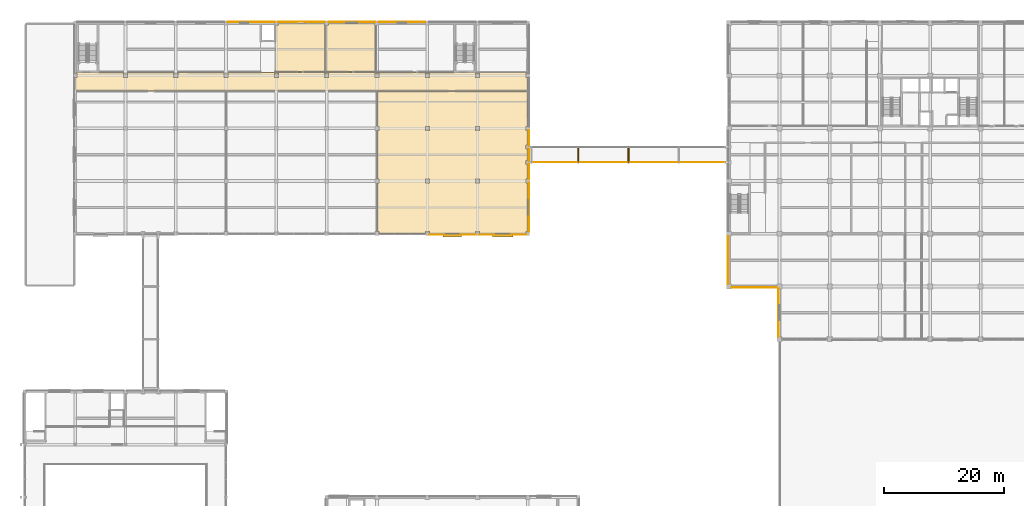
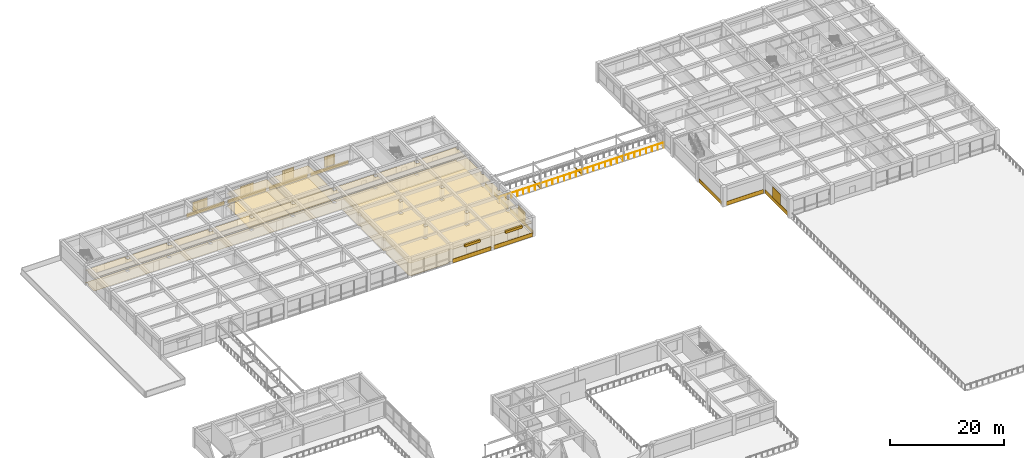
# One storey, part 51 of 57: 23 coverings, 8 shading devices, 1 railing.
"""IFC4 building model written with IfcOpenShell, lengths in metres."""

from ifc_helpers import new_model, si_unit, direction, frame, origin, origin_2d, place, context, subcontext, project, spatial, polyline, rectangle, circle, outline, extrude, material, layer, layer_set, type_object, element, save


model = new_model("IFC4")

# Units and contexts
model_context = context("Model", 3, precision=1e-05, world=origin(), true_north=direction((0.0, 1.0)))
body_context = subcontext(model_context, "Body", "Model", "MODEL_VIEW")
ifc_project = project(units=[si_unit("LENGTHUNIT", "METRE"), si_unit("AREAUNIT", "SQUARE_METRE"), si_unit("VOLUMEUNIT", "CUBIC_METRE"), si_unit("PLANEANGLEUNIT", "RADIAN"), si_unit("MASSUNIT", "GRAM", prefix="KILO")], contexts=[model_context])

# Site, building, storey
site_placement = place(None, origin())
site = spatial("IfcSite", under=ifc_project, at=site_placement, CompositionType="ELEMENT")
building_placement = place(site_placement, origin())
building = spatial("IfcBuilding", under=site, at=building_placement, Name="Kemercrest Conservatory and Botanical Centre", CompositionType="ELEMENT")
storey_placement = place(building_placement, frame((0.0, 0.0, 4.800048828125)))
storey = spatial("IfcBuildingStorey", under=building, at=storey_placement, Name="L01", CompositionType="ELEMENT", Elevation=4.800048828125)

# Coverings
ifc_material_1 = material(Name="Honed limestone almasik ashlar rainscreen", Category="masonry")
ifc_layer_1 = layer(ifc_material_1, 0.0400390625)
ifc_layer_set_1 = layer_set([ifc_layer_1], Name="Honed limestone almasik ashlar rainscreen")
covering_type_1 = type_object("IfcCoveringType", Name="CV-CLD040", PredefinedType="CLADDING", material=ifc_layer_set_1)
covering_1_placement = place(storey_placement, origin())
element("IfcCovering", 1, at=covering_1_placement, inside=storey, type_object=covering_type_1, Name="Exterior stone spandrel cladding (WAL:L01:EXT-098)", PredefinedType="CLADDING", context=body_context, shape_type="SweptSolid", body=[
    extrude(outline(polyline([(75.510009765625, 87.050048828125), (75.510009765625, 87.010009765625), (83.2900390625, 87.010009765625), (83.2900390625, 87.050048828125), (75.510009765625, 87.050048828125)])), origin(), (0.0, 0.0, 1.0), 0.849853515625),
])
covering_2_placement = place(storey_placement, origin())
element("IfcCovering", 2, at=covering_2_placement, inside=storey, type_object=covering_type_1, Name="Exterior stone spandrel cladding (WAL:L01:EXT-099)", PredefinedType="CLADDING", context=body_context, shape_type="SweptSolid", body=[
    extrude(outline(polyline([(83.909912109375, 87.050048828125), (83.909912109375, 87.010009765625), (91.68994140625, 87.010009765625), (91.68994140625, 87.050048828125), (83.909912109375, 87.050048828125)])), origin(), (0.0, 0.0, 1.0), 0.849853515625),
])
covering_3_placement = place(storey_placement, origin())
element("IfcCovering", 3, at=covering_3_placement, inside=storey, type_object=covering_type_1, Name="Exterior stone spandrel cladding (WAL:L01:EXT-100)", PredefinedType="CLADDING", context=body_context, shape_type="SweptSolid", body=[
    extrude(outline(polyline([(92.14990234375, 87.510009765625), (92.18994140625, 87.510009765625), (92.18994140625, 95.68994140625), (92.14990234375, 95.68994140625), (92.14990234375, 87.510009765625)])), origin(), (0.0, 0.0, 1.0), 0.849853515625),
])
covering_4_placement = place(storey_placement, origin())
element("IfcCovering", 4, at=covering_4_placement, inside=storey, type_object=covering_type_1, Name="Exterior stone spandrel cladding (WAL:L01:EXT-101-S1)", PredefinedType="CLADDING", context=body_context, shape_type="SweptSolid", body=[
    extrude(outline(polyline([(92.14990234375, 96.31005859375), (92.18994140625, 96.31005859375), (92.18994140625, 98.7900390625), (92.14990234375, 98.7900390625), (92.14990234375, 96.31005859375)])), origin(), (0.0, 0.0, 1.0), 0.849853515625),
])
covering_5_placement = place(storey_placement, origin())
element("IfcCovering", 5, at=covering_5_placement, inside=storey, type_object=covering_type_1, Name="Exterior stone spandrel cladding (WAL:L01:EXT-101-S2)", PredefinedType="CLADDING", context=body_context, shape_type="SweptSolid", body=[
    extrude(outline(polyline([(92.14990234375, 99.409912109375), (92.18994140625, 99.409912109375), (92.18994140625, 101.389892578125), (92.14990234375, 101.389892578125), (92.14990234375, 99.409912109375)])), origin(), (0.0, 0.0, 1.0), 0.849853515625),
])
covering_6_placement = place(storey_placement, origin())
element("IfcCovering", 6, at=covering_6_placement, inside=storey, type_object=covering_type_1, Name="Exterior stone spandrel cladding (WAL:L01:EXT-101-S3)", PredefinedType="CLADDING", context=body_context, shape_type="SweptSolid", body=[
    extrude(outline(polyline([(92.14990234375, 102.010009765625), (92.18994140625, 102.010009765625), (92.18994140625, 104.489990234375), (92.14990234375, 104.489990234375), (92.14990234375, 102.010009765625)])), origin(), (0.0, 0.0, 1.0), 0.849853515625),
])
covering_7_placement = place(storey_placement, origin())
element("IfcCovering", 7, at=covering_7_placement, inside=storey, type_object=covering_type_1, Name="Exterior stone spandrel cladding (WAL:L01:EXT-106)", PredefinedType="CLADDING", context=body_context, shape_type="SweptSolid", body=[
    extrude(outline(polyline([(74.889892578125, 122.550048828125), (74.889892578125, 122.590087890625), (67.110107421875, 122.590087890625), (67.110107421875, 122.550048828125), (74.889892578125, 122.550048828125)])), origin(), (0.0, 0.0, 1.0), 0.849853515625),
])
covering_8_placement = place(storey_placement, origin())
element("IfcCovering", 8, at=covering_8_placement, inside=storey, type_object=covering_type_1, Name="Exterior stone spandrel cladding (WAL:L01:EXT-107)", PredefinedType="CLADDING", context=body_context, shape_type="SweptSolid", body=[
    extrude(outline(polyline([(66.489990234375, 122.550048828125), (66.489990234375, 122.590087890625), (58.7099609375, 122.590087890625), (58.7099609375, 122.550048828125), (66.489990234375, 122.550048828125)])), origin(), (0.0, 0.0, 1.0), 0.849853515625),
])
covering_9_placement = place(storey_placement, origin())
element("IfcCovering", 9, at=covering_9_placement, inside=storey, type_object=covering_type_1, Name="Exterior stone spandrel cladding (WAL:L01:EXT-108)", PredefinedType="CLADDING", context=body_context, shape_type="SweptSolid", body=[
    extrude(outline(polyline([(58.090087890625, 122.550048828125), (58.090087890625, 122.590087890625), (50.31005859375, 122.590087890625), (50.31005859375, 122.550048828125), (58.090087890625, 122.550048828125)])), origin(), (0.0, 0.0, 1.0), 0.849853515625),
])
covering_10_placement = place(storey_placement, origin())
element("IfcCovering", 10, at=covering_10_placement, inside=storey, type_object=covering_type_1, Name="Exterior stone spandrel cladding (WAL:L01:EXT-109)", PredefinedType="CLADDING", context=body_context, shape_type="SweptSolid", body=[
    extrude(outline(polyline([(49.68994140625, 122.550048828125), (49.68994140625, 122.590087890625), (41.909912109375, 122.590087890625), (41.909912109375, 122.550048828125), (49.68994140625, 122.550048828125)])), origin(), (0.0, 0.0, 1.0), 0.849853515625),
])
covering_11_placement = place(storey_placement, origin())
element("IfcCovering", 11, at=covering_11_placement, inside=storey, type_object=covering_type_1, Name="Exterior stone spandrel cladding (WAL:L01:EXT-190)", PredefinedType="CLADDING", context=body_context, shape_type="SweptSolid", body=[
    extrude(outline(polyline([(125.449951171875, 86.7900390625), (125.409912109375, 86.7900390625), (125.409912109375, 78.81005859375), (125.449951171875, 78.81005859375), (125.449951171875, 86.7900390625)])), origin(), (0.0, 0.0, 1.0), 0.849853515625),
])
covering_12_placement = place(storey_placement, origin())
element("IfcCovering", 12, at=covering_12_placement, inside=storey, type_object=covering_type_1, Name="Exterior stone spandrel cladding (WAL:L01:EXT-191)", PredefinedType="CLADDING", context=body_context, shape_type="SweptSolid", body=[
    extrude(outline(polyline([(126.010009765625, 78.25), (126.010009765625, 78.2099609375), (133.590087890625, 78.2099609375), (133.590087890625, 78.25), (126.010009765625, 78.25)])), origin(), (0.0, 0.0, 1.0), 0.849853515625),
])
covering_13_placement = place(storey_placement, origin())
element("IfcCovering", 13, at=covering_13_placement, inside=storey, type_object=covering_type_1, Name="Exterior stone spandrel cladding (WAL:L01:EXT-192)", PredefinedType="CLADDING", context=body_context, shape_type="SweptSolid", body=[
    extrude(outline(polyline([(133.85009765625, 77.989990234375), (133.81005859375, 77.989990234375), (133.81005859375, 70.010009765625), (133.85009765625, 70.010009765625), (133.85009765625, 77.989990234375)])), origin(), (0.0, 0.0, 1.0), 0.849853515625),
])
ifc_material_2 = material(Name="Perforated acoustic gypsum and mineral-fibre suspended ceiling", Category="gypsum")
ifc_layer_2 = layer(ifc_material_2, 0.034912109375)
ifc_layer_set_2 = layer_set([ifc_layer_2], Name="Perforated acoustic gypsum and mineral-fibre suspended ceiling")
covering_type_2 = type_object("IfcCoveringType", Name="CV-CLG035", PredefinedType="CEILING", material=ifc_layer_set_2)
covering_14_placement = place(storey_placement, frame((0.0, 0.0, 2.699951171875)))
element("IfcCovering", 14, at=covering_14_placement, inside=storey, type_object=covering_type_2, Name="Education Concourse Corridor suspended acoustic ceiling", PredefinedType="CEILING", context=body_context, shape_type="SweptSolid", body=[
    extrude(outline(polyline([(16.739990234375, 113.260009765625), (16.47998046875, 113.260009765625), (16.47998046875, 111.080078125), (91.919921875, 111.080078125), (91.919921875, 113.260009765625), (91.659912109375, 113.260009765625), (91.659912109375, 113.93994140625), (91.919921875, 113.93994140625), (91.919921875, 114.1201171875), (16.47998046875, 114.1201171875), (16.47998046875, 113.93994140625), (16.739990234375, 113.93994140625), (16.739990234375, 113.260009765625)]), holes=[polyline([(83.93994140625, 113.260009765625), (83.260009765625, 113.260009765625), (83.260009765625, 113.93994140625), (83.93994140625, 113.93994140625), (83.93994140625, 113.260009765625)]), polyline([(74.860107421875, 113.260009765625), (74.860107421875, 113.93994140625), (75.5400390625, 113.93994140625), (75.5400390625, 113.260009765625), (74.860107421875, 113.260009765625)]), polyline([(67.139892578125, 113.260009765625), (66.4599609375, 113.260009765625), (66.4599609375, 113.93994140625), (67.139892578125, 113.93994140625), (67.139892578125, 113.260009765625)]), polyline([(58.739990234375, 113.260009765625), (58.06005859375, 113.260009765625), (58.06005859375, 113.93994140625), (58.739990234375, 113.93994140625), (58.739990234375, 113.260009765625)]), polyline([(50.340087890625, 113.260009765625), (49.659912109375, 113.260009765625), (49.659912109375, 113.93994140625), (50.340087890625, 113.93994140625), (50.340087890625, 113.260009765625)]), polyline([(41.93994140625, 113.260009765625), (41.260009765625, 113.260009765625), (41.260009765625, 113.93994140625), (41.93994140625, 113.93994140625), (41.93994140625, 113.260009765625)]), polyline([(33.5400390625, 113.260009765625), (32.860107421875, 113.260009765625), (32.860107421875, 113.93994140625), (33.5400390625, 113.93994140625), (33.5400390625, 113.260009765625)]), polyline([(24.4599609375, 113.260009765625), (24.4599609375, 113.93994140625), (25.139892578125, 113.93994140625), (25.139892578125, 113.260009765625), (24.4599609375, 113.260009765625)])]), origin(), (0.0, 0.0, 1.0), 0.034912109375),
])
covering_15_placement = place(storey_placement, frame((0.0, 0.0, 2.699951171875)))
element("IfcCovering", 15, at=covering_15_placement, inside=storey, type_object=covering_type_2, Name="Botanical Illustration Studio suspended acoustic ceiling", PredefinedType="CEILING", context=body_context, shape_type="SweptSolid", body=[
    extrude(outline(polyline([(83.260009765625, 87.5400390625), (83.93994140625, 87.5400390625), (83.93994140625, 87.280029296875), (91.659912109375, 87.280029296875), (91.659912109375, 87.5400390625), (91.919921875, 87.5400390625), (91.919921875, 95.659912109375), (91.659912109375, 95.659912109375), (91.659912109375, 96.340087890625), (91.919921875, 96.340087890625), (91.919921875, 98.760009765625), (91.659912109375, 98.760009765625), (91.659912109375, 99.43994140625), (91.919921875, 99.43994140625), (91.919921875, 101.360107421875), (91.659912109375, 101.360107421875), (91.659912109375, 102.0400390625), (91.919921875, 102.0400390625), (91.919921875, 104.4599609375), (91.659912109375, 104.4599609375), (91.659912109375, 105.139892578125), (91.919921875, 105.139892578125), (91.919921875, 110.919921875), (66.8798828125, 110.919921875), (66.8798828125, 105.139892578125), (67.139892578125, 105.139892578125), (67.139892578125, 104.4599609375), (66.8798828125, 104.4599609375), (66.8798828125, 96.340087890625), (67.139892578125, 96.340087890625), (67.139892578125, 95.659912109375), (66.8798828125, 95.659912109375), (66.8798828125, 87.5400390625), (67.139892578125, 87.5400390625), (67.139892578125, 87.280029296875), (74.860107421875, 87.280029296875), (74.860107421875, 87.5400390625), (75.5400390625, 87.5400390625), (75.5400390625, 87.280029296875), (83.260009765625, 87.280029296875), (83.260009765625, 87.5400390625)]), holes=[polyline([(83.93994140625, 95.659912109375), (83.260009765625, 95.659912109375), (83.260009765625, 96.340087890625), (83.93994140625, 96.340087890625), (83.93994140625, 95.659912109375)]), polyline([(83.93994140625, 104.4599609375), (83.260009765625, 104.4599609375), (83.260009765625, 105.139892578125), (83.93994140625, 105.139892578125), (83.93994140625, 104.4599609375)]), polyline([(74.860107421875, 95.659912109375), (74.860107421875, 96.340087890625), (75.5400390625, 96.340087890625), (75.5400390625, 95.659912109375), (74.860107421875, 95.659912109375)]), polyline([(74.860107421875, 104.4599609375), (74.860107421875, 105.139892578125), (75.5400390625, 105.139892578125), (75.5400390625, 104.4599609375), (74.860107421875, 104.4599609375)])]), origin(), (0.0, 0.0, 1.0), 0.034912109375),
])
covering_16_placement = place(storey_placement, frame((0.0, 0.0, 2.699951171875)))
element("IfcCovering", 16, at=covering_16_placement, inside=storey, type_object=covering_type_2, Name="Public Washroom suspended acoustic ceiling", PredefinedType="CEILING", context=body_context, shape_type="SweptSolid", body=[
    extrude(outline(polyline([(49.8798828125, 114.280029296875), (58.1201171875, 114.280029296875), (58.1201171875, 122.06005859375), (58.06005859375, 122.06005859375), (58.06005859375, 122.320068359375), (50.340087890625, 122.320068359375), (50.340087890625, 122.06005859375), (49.8798828125, 122.06005859375), (49.8798828125, 114.280029296875)])), origin(), (0.0, 0.0, 1.0), 0.034912109375),
])
covering_17_placement = place(storey_placement, frame((0.0, 0.0, 2.699951171875)))
element("IfcCovering", 17, at=covering_17_placement, inside=storey, type_object=covering_type_2, Name="Accessible Washroom suspended acoustic ceiling", PredefinedType="CEILING", context=body_context, shape_type="SweptSolid", body=[
    extrude(outline(polyline([(58.280029296875, 114.280029296875), (66.52001953125, 114.280029296875), (66.52001953125, 122.06005859375), (66.4599609375, 122.06005859375), (66.4599609375, 122.320068359375), (58.739990234375, 122.320068359375), (58.739990234375, 122.06005859375), (58.280029296875, 122.06005859375), (58.280029296875, 114.280029296875)])), origin(), (0.0, 0.0, 1.0), 0.034912109375),
])
ifc_material_3 = material(Name="Polished limestone terrazzo and seamless laboratory epoxy flooring", Category="masonry")
ifc_layer_3 = layer(ifc_material_3, 0.02001953125)
ifc_layer_set_3 = layer_set([ifc_layer_3], Name="Polished limestone terrazzo and seamless laboratory epoxy flooring")
covering_type_3 = type_object("IfcCoveringType", Name="CV-FLR020", PredefinedType="FLOORING", material=ifc_layer_set_3)
covering_18_placement = place(storey_placement, origin())
element("IfcCovering", 18, at=covering_18_placement, inside=storey, type_object=covering_type_3, Name="Education Concourse Corridor floor finish", PredefinedType="FLOORING", context=body_context, shape_type="SweptSolid", body=[
    extrude(outline(polyline([(16.739990234375, 113.260009765625), (16.47998046875, 113.260009765625), (16.47998046875, 111.080078125), (91.919921875, 111.080078125), (91.919921875, 113.260009765625), (91.659912109375, 113.260009765625), (91.659912109375, 113.93994140625), (91.919921875, 113.93994140625), (91.919921875, 114.1201171875), (16.47998046875, 114.1201171875), (16.47998046875, 113.93994140625), (16.739990234375, 113.93994140625), (16.739990234375, 113.260009765625)]), holes=[polyline([(83.93994140625, 113.260009765625), (83.260009765625, 113.260009765625), (83.260009765625, 113.93994140625), (83.93994140625, 113.93994140625), (83.93994140625, 113.260009765625)]), polyline([(74.860107421875, 113.260009765625), (74.860107421875, 113.93994140625), (75.5400390625, 113.93994140625), (75.5400390625, 113.260009765625), (74.860107421875, 113.260009765625)]), polyline([(67.139892578125, 113.260009765625), (66.4599609375, 113.260009765625), (66.4599609375, 113.93994140625), (67.139892578125, 113.93994140625), (67.139892578125, 113.260009765625)]), polyline([(58.739990234375, 113.260009765625), (58.06005859375, 113.260009765625), (58.06005859375, 113.93994140625), (58.739990234375, 113.93994140625), (58.739990234375, 113.260009765625)]), polyline([(50.340087890625, 113.260009765625), (49.659912109375, 113.260009765625), (49.659912109375, 113.93994140625), (50.340087890625, 113.93994140625), (50.340087890625, 113.260009765625)]), polyline([(41.93994140625, 113.260009765625), (41.260009765625, 113.260009765625), (41.260009765625, 113.93994140625), (41.93994140625, 113.93994140625), (41.93994140625, 113.260009765625)]), polyline([(33.5400390625, 113.260009765625), (32.860107421875, 113.260009765625), (32.860107421875, 113.93994140625), (33.5400390625, 113.93994140625), (33.5400390625, 113.260009765625)]), polyline([(24.4599609375, 113.260009765625), (24.4599609375, 113.93994140625), (25.139892578125, 113.93994140625), (25.139892578125, 113.260009765625), (24.4599609375, 113.260009765625)])]), origin(), (0.0, 0.0, 1.0), 0.02001953125),
])
covering_19_placement = place(storey_placement, origin())
element("IfcCovering", 19, at=covering_19_placement, inside=storey, type_object=covering_type_3, Name="Botanical Illustration Studio floor finish", PredefinedType="FLOORING", context=body_context, shape_type="SweptSolid", body=[
    extrude(outline(polyline([(83.260009765625, 87.5400390625), (83.93994140625, 87.5400390625), (83.93994140625, 87.280029296875), (91.659912109375, 87.280029296875), (91.659912109375, 87.5400390625), (91.919921875, 87.5400390625), (91.919921875, 95.659912109375), (91.659912109375, 95.659912109375), (91.659912109375, 96.340087890625), (91.919921875, 96.340087890625), (91.919921875, 98.760009765625), (91.659912109375, 98.760009765625), (91.659912109375, 99.43994140625), (91.919921875, 99.43994140625), (91.919921875, 101.360107421875), (91.659912109375, 101.360107421875), (91.659912109375, 102.0400390625), (91.919921875, 102.0400390625), (91.919921875, 104.4599609375), (91.659912109375, 104.4599609375), (91.659912109375, 105.139892578125), (91.919921875, 105.139892578125), (91.919921875, 110.919921875), (66.8798828125, 110.919921875), (66.8798828125, 105.139892578125), (67.139892578125, 105.139892578125), (67.139892578125, 104.4599609375), (66.8798828125, 104.4599609375), (66.8798828125, 96.340087890625), (67.139892578125, 96.340087890625), (67.139892578125, 95.659912109375), (66.8798828125, 95.659912109375), (66.8798828125, 87.5400390625), (67.139892578125, 87.5400390625), (67.139892578125, 87.280029296875), (74.860107421875, 87.280029296875), (74.860107421875, 87.5400390625), (75.5400390625, 87.5400390625), (75.5400390625, 87.280029296875), (83.260009765625, 87.280029296875), (83.260009765625, 87.5400390625)]), holes=[polyline([(83.93994140625, 95.659912109375), (83.260009765625, 95.659912109375), (83.260009765625, 96.340087890625), (83.93994140625, 96.340087890625), (83.93994140625, 95.659912109375)]), polyline([(83.93994140625, 104.4599609375), (83.260009765625, 104.4599609375), (83.260009765625, 105.139892578125), (83.93994140625, 105.139892578125), (83.93994140625, 104.4599609375)]), polyline([(74.860107421875, 95.659912109375), (74.860107421875, 96.340087890625), (75.5400390625, 96.340087890625), (75.5400390625, 95.659912109375), (74.860107421875, 95.659912109375)]), polyline([(74.860107421875, 104.4599609375), (74.860107421875, 105.139892578125), (75.5400390625, 105.139892578125), (75.5400390625, 104.4599609375), (74.860107421875, 104.4599609375)])]), origin(), (0.0, 0.0, 1.0), 0.02001953125),
])
covering_20_placement = place(storey_placement, origin())
element("IfcCovering", 20, at=covering_20_placement, inside=storey, type_object=covering_type_3, Name="Public Washroom floor finish", PredefinedType="FLOORING", context=body_context, shape_type="SweptSolid", body=[
    extrude(outline(polyline([(49.8798828125, 114.280029296875), (58.1201171875, 114.280029296875), (58.1201171875, 122.06005859375), (58.06005859375, 122.06005859375), (58.06005859375, 122.320068359375), (50.340087890625, 122.320068359375), (50.340087890625, 122.06005859375), (49.8798828125, 122.06005859375), (49.8798828125, 114.280029296875)])), origin(), (0.0, 0.0, 1.0), 0.02001953125),
])
covering_21_placement = place(storey_placement, origin())
element("IfcCovering", 21, at=covering_21_placement, inside=storey, type_object=covering_type_3, Name="Accessible Washroom floor finish", PredefinedType="FLOORING", context=body_context, shape_type="SweptSolid", body=[
    extrude(outline(polyline([(58.280029296875, 114.280029296875), (66.52001953125, 114.280029296875), (66.52001953125, 122.06005859375), (66.4599609375, 122.06005859375), (66.4599609375, 122.320068359375), (58.739990234375, 122.320068359375), (58.739990234375, 122.06005859375), (58.280029296875, 122.06005859375), (58.280029296875, 114.280029296875)])), origin(), (0.0, 0.0, 1.0), 0.02001953125),
])
covering_22_placement = place(storey_placement, frame((0.0, 0.0, -0.02001953125)))
element("IfcCovering", 22, at=covering_22_placement, inside=storey, type_object=covering_type_3, Name="Seismic bridge SJ-3 architectural floor slide plate", PredefinedType="FLOORING", context=body_context, shape_type="SweptSolid", body=[
    extrude(outline(polyline([(100.300048828125, 99.10009765625), (100.5, 99.10009765625), (100.5, 101.699951171875), (100.300048828125, 101.699951171875), (100.300048828125, 99.10009765625)])), origin(), (0.0, 0.0, 1.0), 0.02001953125),
])
covering_23_placement = place(storey_placement, frame((0.0, 0.0, -0.02001953125)))
element("IfcCovering", 23, at=covering_23_placement, inside=storey, type_object=covering_type_3, Name="Seismic bridge SJ-3 architectural floor slide plate", PredefinedType="FLOORING", context=body_context, shape_type="SweptSolid", body=[
    extrude(outline(polyline([(108.699951171875, 99.10009765625), (108.89990234375, 99.10009765625), (108.89990234375, 101.699951171875), (108.699951171875, 101.699951171875), (108.699951171875, 99.10009765625)])), origin(), (0.0, 0.0, 1.0), 0.02001953125),
])

# Railing
ifc_material_4 = material(Name="Architectural bronze-anodized steel balustrade", Category="steel")
railing_type = type_object("IfcRailingType", Name="GR-BRG112", PredefinedType="GUARDRAIL", material=ifc_material_4)
railing_placement = place(storey_placement, frame((92.10009765625, 99.159912109375, 0.0)))
element("IfcRailing", 24, at=railing_placement, inside=storey, type_object=railing_type, Name="Seismic bridge SJ-3 side guardrail 1", PredefinedType="GUARDRAIL", context=body_context, shape_type="SweptSolid", body=[
    extrude(circle(Radius=0.02392578125, at=origin_2d()), frame((0.0, 0.0, 1.09619140625), z_axis=(1.0, 0.0, 0.0), x_axis=(0.0, 1.0, 0.0)), (0.0, 0.0, 1.0), 33.2998046875),
    extrude(circle(Radius=0.02099609375, at=origin_2d()), origin(), (0.0, 0.0, 1.0), 1.072021484375),
    extrude(circle(Radius=0.02099609375, at=origin_2d()), frame((1.189208984375, 0.0, 0.0)), (0.0, 0.0, 1.0), 1.072021484375),
    extrude(circle(Radius=0.02099609375, at=origin_2d()), frame((2.378662109375, 0.0, 0.0)), (0.0, 0.0, 1.0), 1.072021484375),
    extrude(circle(Radius=0.02099609375, at=origin_2d()), frame((3.56787109375, 0.0, 0.0)), (0.0, 0.0, 1.0), 1.072021484375),
    extrude(circle(Radius=0.02099609375, at=origin_2d()), frame((4.757080078125, 0.0, 0.0)), (0.0, 0.0, 1.0), 1.072021484375),
    extrude(circle(Radius=0.02099609375, at=origin_2d()), frame((5.9462890625, 0.0, 0.0)), (0.0, 0.0, 1.0), 1.072021484375),
    extrude(circle(Radius=0.02099609375, at=origin_2d()), frame((7.1357421875, 0.0, 0.0)), (0.0, 0.0, 1.0), 1.072021484375),
    extrude(circle(Radius=0.02099609375, at=origin_2d()), frame((8.324951171875, 0.0, 0.0)), (0.0, 0.0, 1.0), 1.072021484375),
    extrude(circle(Radius=0.02099609375, at=origin_2d()), frame((9.51416015625, 0.0, 0.0)), (0.0, 0.0, 1.0), 1.072021484375),
    extrude(circle(Radius=0.02099609375, at=origin_2d()), frame((10.70361328125, 0.0, 0.0)), (0.0, 0.0, 1.0), 1.072021484375),
    extrude(circle(Radius=0.02099609375, at=origin_2d()), frame((11.892822265625, 0.0, 0.0)), (0.0, 0.0, 1.0), 1.072021484375),
    extrude(circle(Radius=0.02099609375, at=origin_2d()), frame((13.08203125, 0.0, 0.0)), (0.0, 0.0, 1.0), 1.072021484375),
    extrude(circle(Radius=0.02099609375, at=origin_2d()), frame((14.271240234375, 0.0, 0.0)), (0.0, 0.0, 1.0), 1.072021484375),
    extrude(circle(Radius=0.02099609375, at=origin_2d()), frame((15.460693359375, 0.0, 0.0)), (0.0, 0.0, 1.0), 1.072021484375),
    extrude(circle(Radius=0.02099609375, at=origin_2d()), frame((16.64990234375, 0.0, 0.0)), (0.0, 0.0, 1.0), 1.072021484375),
    extrude(circle(Radius=0.02099609375, at=origin_2d()), frame((17.839111328125, 0.0, 0.0)), (0.0, 0.0, 1.0), 1.072021484375),
    extrude(circle(Radius=0.02099609375, at=origin_2d()), frame((19.028564453125, 0.0, 0.0)), (0.0, 0.0, 1.0), 1.072021484375),
    extrude(circle(Radius=0.02099609375, at=origin_2d()), frame((20.2177734375, 0.0, 0.0)), (0.0, 0.0, 1.0), 1.072021484375),
    extrude(circle(Radius=0.02099609375, at=origin_2d()), frame((21.406982421875, 0.0, 0.0)), (0.0, 0.0, 1.0), 1.072021484375),
    extrude(circle(Radius=0.02099609375, at=origin_2d()), frame((22.59619140625, 0.0, 0.0)), (0.0, 0.0, 1.0), 1.072021484375),
    extrude(circle(Radius=0.02099609375, at=origin_2d()), frame((23.78564453125, 0.0, 0.0)), (0.0, 0.0, 1.0), 1.072021484375),
    extrude(circle(Radius=0.02099609375, at=origin_2d()), frame((24.974853515625, 0.0, 0.0)), (0.0, 0.0, 1.0), 1.072021484375),
    extrude(circle(Radius=0.02099609375, at=origin_2d()), frame((26.1640625, 0.0, 0.0)), (0.0, 0.0, 1.0), 1.072021484375),
    extrude(circle(Radius=0.02099609375, at=origin_2d()), frame((27.353515625, 0.0, 0.0)), (0.0, 0.0, 1.0), 1.072021484375),
    extrude(circle(Radius=0.02099609375, at=origin_2d()), frame((28.542724609375, 0.0, 0.0)), (0.0, 0.0, 1.0), 1.072021484375),
    extrude(circle(Radius=0.02099609375, at=origin_2d()), frame((29.73193359375, 0.0, 0.0)), (0.0, 0.0, 1.0), 1.072021484375),
    extrude(circle(Radius=0.02099609375, at=origin_2d()), frame((30.921142578125, 0.0, 0.0)), (0.0, 0.0, 1.0), 1.072021484375),
    extrude(circle(Radius=0.02099609375, at=origin_2d()), frame((32.110595703125, 0.0, 0.0)), (0.0, 0.0, 1.0), 1.072021484375),
    extrude(circle(Radius=0.02099609375, at=origin_2d()), frame((33.2998046875, 0.0, 0.0)), (0.0, 0.0, 1.0), 1.072021484375),
])

# Shading devices
ifc_material_5 = material(Name="Architectural bronze-anodized extruded aluminium", Category="aluminium")
shading_device_type_1 = type_object("IfcShadingDeviceType", Name="SH-JL04", PredefinedType="JALOUSIE", material=ifc_material_5)
shading_device_1_placement = place(storey_placement, frame((79.39990234375, 86.876953125, 2.77001953125), z_axis=(0.0, 0.0, 1.0), x_axis=(1.0, 0.0, 0.0)))
element("IfcShadingDevice", 25, at=shading_device_1_placement, inside=storey, type_object=shading_device_type_1, Name="Solar control louvre visor SH-JL04 (WIN:L01:EXT-098)", PredefinedType="JALOUSIE", context=body_context, shape_type="SweptSolid", body=[
    extrude(rectangle(XDim=3.10009765625, YDim=0.35009765625, at=origin_2d()), origin(), (0.0, 0.0, 1.0), 0.5),
])
shading_device_type_2 = type_object("IfcShadingDeviceType", Name="SH-JL05", PredefinedType="JALOUSIE", material=ifc_material_5)
shading_device_2_placement = place(storey_placement, frame((87.800048828125, 86.876953125, 2.81005859375), z_axis=(0.0, 0.0, 1.0), x_axis=(1.0, 0.0, 0.0)))
element("IfcShadingDevice", 26, at=shading_device_2_placement, inside=storey, type_object=shading_device_type_2, Name="Solar control louvre visor SH-JL05 (WIN:L01:EXT-099)", PredefinedType="JALOUSIE", context=body_context, shape_type="SweptSolid", body=[
    extrude(rectangle(XDim=3.39990234375, YDim=0.35009765625, at=origin_2d()), origin(), (0.0, 0.0, 1.0), 0.5),
])
ifc_material_6 = material(Name="Perforated bronze-anodized aluminium", Category="aluminium")
shading_device_type_3 = type_object("IfcShadingDeviceType", Name="SH-MS01", PredefinedType="USERDEFINED", material=ifc_material_6)
shading_device_3_placement = place(storey_placement, frame((92.18798828125, 91.60009765625, 0.85986328125), z_axis=(0.0, 0.0, 1.0), x_axis=(0.0, 1.0, 0.0)))
element("IfcShadingDevice", 27, at=shading_device_3_placement, inside=storey, type_object=shading_device_type_3, Name="Ottoman mashrabiya perforated screen SH-MS01 (WIN:L01:EXT-100)", ObjectType="MASHRABIYA SCREEN", PredefinedType="USERDEFINED", context=body_context, shape_type="SweptSolid", body=[
    extrude(rectangle(XDim=2.659912109375, YDim=0.080078125, at=origin_2d()), origin(), (0.0, 0.0, 1.0), 2.199951171875),
])
shading_device_type_4 = type_object("IfcShadingDeviceType", Name="SH-MS02", PredefinedType="USERDEFINED", material=ifc_material_6)
shading_device_4_placement = place(storey_placement, frame((71.0, 122.587890625, 0.89990234375), z_axis=(0.0, 0.0, 1.0), x_axis=(-1.0, 0.0, 0.0)))
element("IfcShadingDevice", 28, at=shading_device_4_placement, inside=storey, type_object=shading_device_type_4, Name="Ottoman mashrabiya perforated screen SH-MS02 (WIN:L01:EXT-106)", ObjectType="MASHRABIYA SCREEN", PredefinedType="USERDEFINED", context=body_context, shape_type="SweptSolid", body=[
    extrude(rectangle(XDim=2.10009765625, YDim=0.080078125, at=origin_2d()), origin(), (0.0, 0.0, 1.0), 2.300048828125),
])
shading_device_type_5 = type_object("IfcShadingDeviceType", Name="SH-MS03", PredefinedType="USERDEFINED", material=ifc_material_6)
shading_device_5_placement = place(storey_placement, frame((62.60009765625, 122.587890625, 0.8701171875), z_axis=(0.0, 0.0, 1.0), x_axis=(-1.0, 0.0, 0.0)))
element("IfcShadingDevice", 29, at=shading_device_5_placement, inside=storey, type_object=shading_device_type_5, Name="Ottoman mashrabiya perforated screen SH-MS03 (WIN:L01:EXT-107)", ObjectType="MASHRABIYA SCREEN", PredefinedType="USERDEFINED", context=body_context, shape_type="SweptSolid", body=[
    extrude(rectangle(XDim=2.39990234375, YDim=0.080078125, at=origin_2d()), origin(), (0.0, 0.0, 1.0), 2.39990234375),
])
shading_device_6_placement = place(storey_placement, frame((133.81201171875, 74.0, 0.81982421875), z_axis=(0.0, 0.0, 1.0), x_axis=(0.0, -1.0, 0.0)))
element("IfcShadingDevice", 30, at=shading_device_6_placement, inside=storey, type_object=shading_device_type_5, Name="Ottoman mashrabiya perforated screen SH-MS03 (WIN:L01:EXT-192)", ObjectType="MASHRABIYA SCREEN", PredefinedType="USERDEFINED", context=body_context, shape_type="SweptSolid", body=[
    extrude(rectangle(XDim=2.760009765625, YDim=0.080078125, at=origin_2d()), origin(), (0.0, 0.0, 1.0), 2.239990234375),
])
shading_device_type_6 = type_object("IfcShadingDeviceType", Name="SH-MS04", PredefinedType="USERDEFINED", material=ifc_material_6)
shading_device_7_placement = place(storey_placement, frame((54.199951171875, 122.587890625, 0.820068359375), z_axis=(0.0, 0.0, 1.0), x_axis=(-1.0, 0.0, 0.0)))
element("IfcShadingDevice", 31, at=shading_device_7_placement, inside=storey, type_object=shading_device_type_6, Name="Ottoman mashrabiya perforated screen SH-MS04 (WIN:L01:EXT-108)", ObjectType="MASHRABIYA SCREEN", PredefinedType="USERDEFINED", context=body_context, shape_type="SweptSolid", body=[
    extrude(rectangle(XDim=2.699951171875, YDim=0.080078125, at=origin_2d()), origin(), (0.0, 0.0, 1.0), 1.9599609375),
])
shading_device_type_7 = type_object("IfcShadingDeviceType", Name="SH-MS05", PredefinedType="USERDEFINED", material=ifc_material_6)
shading_device_8_placement = place(storey_placement, frame((44.655029296875, 122.587890625, 0.820068359375), z_axis=(0.0, 0.0, 1.0), x_axis=(-1.0, 0.0, 0.0)))
element("IfcShadingDevice", 32, at=shading_device_8_placement, inside=storey, type_object=shading_device_type_7, Name="Ottoman mashrabiya perforated screen SH-MS05 (WIN:L01:EXT-109)", ObjectType="MASHRABIYA SCREEN", PredefinedType="USERDEFINED", context=body_context, shape_type="SweptSolid", body=[
    extrude(rectangle(XDim=3.0, YDim=0.080078125, at=origin_2d()), origin(), (0.0, 0.0, 1.0), 1.9599609375),
])

save(model, "model.ifc")
